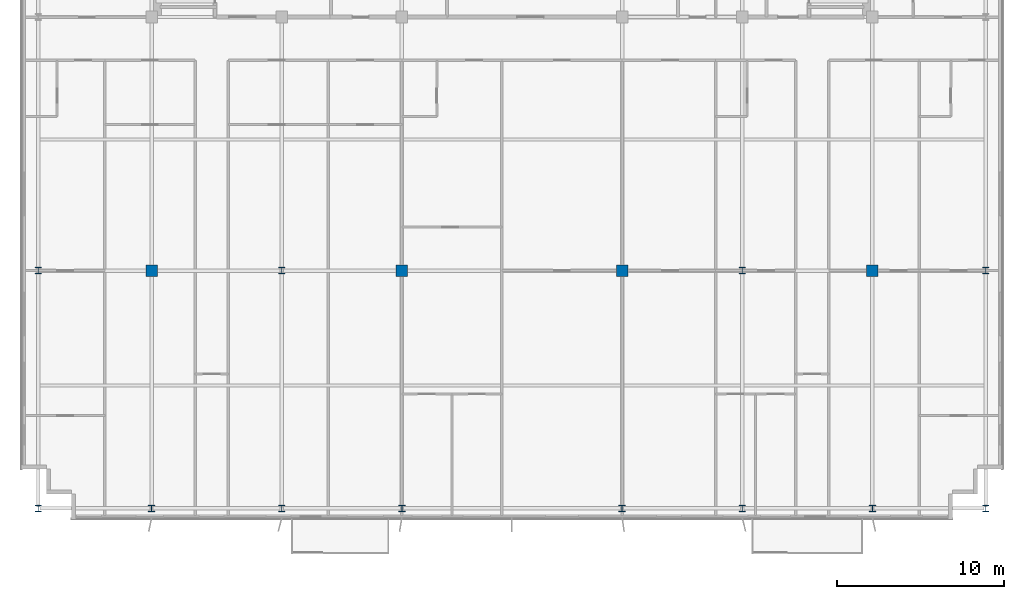
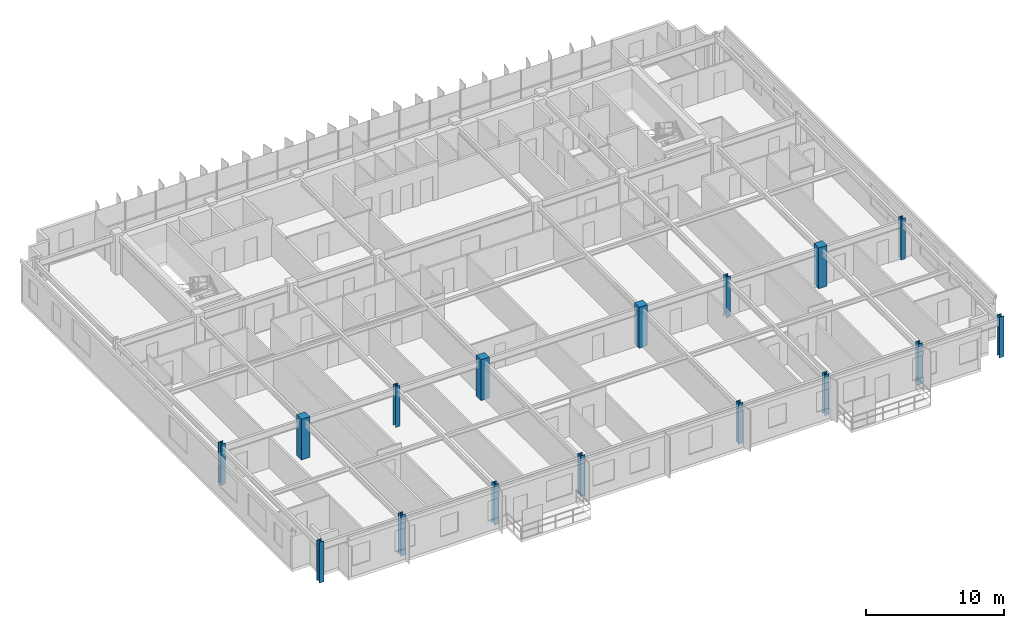
# One storey, part 1 of 21: 16 columns.
"""IFC4 building model written with IfcOpenShell, lengths in metres."""

from ifc_helpers import new_model, si_unit, direction, frame, origin, origin_2d, place, context, subcontext, project, spatial, rectangle, i_section, extrude, source, transform, mapped, material, material_profile, profile_set, type_object, element, save


model = new_model("IFC4")

# Units and contexts
model_context = context("Model", 3, precision=1e-05, world=origin(), true_north=direction((0.0, 1.0)))
body_context = subcontext(model_context, "Body", "Model", "MODEL_VIEW")
ifc_project = project(units=[si_unit("LENGTHUNIT", "METRE"), si_unit("AREAUNIT", "SQUARE_METRE"), si_unit("VOLUMEUNIT", "CUBIC_METRE"), si_unit("PLANEANGLEUNIT", "RADIAN"), si_unit("MASSUNIT", "GRAM", prefix="KILO")], contexts=[model_context])

# Site, building, storey
site_placement = place(None, origin())
site = spatial("IfcSite", under=ifc_project, at=site_placement, CompositionType="ELEMENT")
building_placement = place(site_placement, origin())
building = spatial("IfcBuilding", under=site, at=building_placement, Name="Trelvane Seafront Commons", CompositionType="ELEMENT")
storey_placement = place(building_placement, frame((0.0, 0.0, 160.89990234375)))
storey = spatial("IfcBuildingStorey", under=building, at=storey_placement, Name="L42", CompositionType="ELEMENT", Elevation=160.89990234375)

# Columns
ifc_material_1 = material(Name="Steel SM355 (S355)", Category="steel")
ifc_material_profile_1 = material_profile(ifc_material_1, i_section(OverallWidth=0.3798828125, OverallDepth=0.3798828125, WebThickness=0.02001953125, FlangeThickness=0.030029296875, at=origin_2d()), Name="HD-380x380x20x30")
ifc_profile_set_1 = profile_set([ifc_material_profile_1], Name="Steel SM355 (S355)")
column_type_1 = type_object("IfcColumnType", Name="STR-COL-HD380", PredefinedType="COLUMN", material=ifc_profile_set_1)
shared_shape_1 = source(origin(), body_context, "Body", "SweptSolid", [
    extrude(i_section(OverallWidth=0.3798828125, OverallDepth=0.3798828125, WebThickness=0.02001953125, FlangeThickness=0.030029296875, at=origin_2d()), origin(), (0.0, 0.0, 1.0), 3.60009765625),
])
for number, where, z_axis, x_axis, name in (
    (1, (8.800048828125, 3.949951171875, 0.0), (0.0, 0.0, 1.0), (1.0, 0.0, 0.0), "L42 Column TC-S8.8"),
    (2, (8.800048828125, 18.199951171875, 0.0), (0.0, 0.0, 1.0), (1.0, 0.0, 0.0), "L42 Column TC-M8.8"),
    (3, (15.60009765625, 3.949951171875, 0.0), (0.0, 0.0, 1.0), (1.0, 0.0, 0.0), "L42 Column TC-S15.6"),
    (4, (23.39990234375, 3.949951171875, 0.0), (0.0, 0.0, 1.0), (1.0, 0.0, 0.0), "L42 Column TC-S23.4"),
    (5, (23.39990234375, 18.199951171875, 0.0), (0.0, 0.0, 1.0), (1.0, 0.0, 0.0), "L42 Column TC-M23.4"),
    (6, (30.60009765625, 3.949951171875, 0.0), (0.0, 0.0, 1.0), (1.0, 0.0, 0.0), "L42 Column TC-S30.6"),
    (7, (43.800048828125, 3.949951171875, 0.0), (0.0, 0.0, 1.0), (1.0, 0.0, 0.0), "L42 Column TC-S43.8"),
    (8, (51.0, 3.949951171875, 0.0), (0.0, 0.0, 1.0), (1.0, 0.0, 0.0), "L42 Column TC-S51.0"),
    (9, (51.0, 18.199951171875, 0.0), (0.0, 0.0, 1.0), (1.0, 0.0, 0.0), "L42 Column TC-M51.0"),
    (10, (58.800048828125, 3.949951171875, 0.0), (0.0, 0.0, 1.0), (1.0, 0.0, 0.0), "L42 Column TC-S58.8"),
    (11, (65.60009765625, 3.949951171875, 0.0), (0.0, 0.0, 1.0), (1.0, 0.0, 0.0), "L42 Column TC-S65.6"),
    (12, (65.60009765625, 18.199951171875, 0.0), (0.0, 0.0, 1.0), (1.0, 0.0, 0.0), "L42 Column TC-M65.6"),
):
    element("IfcColumn", number, at=place(storey_placement, frame(where, z_axis=z_axis, x_axis=x_axis)), inside=storey, type_object=column_type_1, Name=name, PredefinedType="COLUMN", context=body_context, shape_type="MappedRepresentation", body=[
        mapped(shared_shape_1, transform((0.0, 0.0, 0.0), x_axis=(1.0, 0.0, 0.0), y_axis=(0.0, 1.0, 0.0), z_axis=(0.0, 0.0, 1.0), scale=1.0)),
    ])
ifc_material_2 = material(Name="Concrete C50/60", Category="concrete")
ifc_material_profile_2 = material_profile(ifc_material_2, rectangle(XDim=0.699951171875, YDim=0.699951171875, at=origin_2d()), Name="RC-700x700")
ifc_profile_set_2 = profile_set([ifc_material_profile_2], Name="Concrete C50/60")
column_type_2 = type_object("IfcColumnType", Name="STR-COL-RC700", PredefinedType="COLUMN", material=ifc_profile_set_2)
shared_shape_2 = source(origin(), body_context, "Body", "SweptSolid", [
    extrude(rectangle(XDim=0.699951171875, YDim=0.699951171875, at=origin_2d()), origin(), (0.0, 0.0, 1.0), 3.60009765625),
])
for number, where, z_axis, x_axis, name in (
    (13, (15.60009765625, 18.199951171875, 0.0), (0.0, 0.0, 1.0), (1.0, 0.0, 0.0), "L42 Column TC-M15.6"),
    (14, (30.60009765625, 18.199951171875, 0.0), (0.0, 0.0, 1.0), (1.0, 0.0, 0.0), "L42 Column TC-M30.6"),
    (15, (43.800048828125, 18.199951171875, 0.0), (0.0, 0.0, 1.0), (1.0, 0.0, 0.0), "L42 Column TC-M43.8"),
    (16, (58.800048828125, 18.199951171875, 0.0), (0.0, 0.0, 1.0), (1.0, 0.0, 0.0), "L42 Column TC-M58.8"),
):
    element("IfcColumn", number, at=place(storey_placement, frame(where, z_axis=z_axis, x_axis=x_axis)), inside=storey, type_object=column_type_2, Name=name, PredefinedType="COLUMN", context=body_context, shape_type="MappedRepresentation", body=[
        mapped(shared_shape_2, transform((0.0, 0.0, 0.0), x_axis=(1.0, 0.0, 0.0), y_axis=(0.0, 1.0, 0.0), z_axis=(0.0, 0.0, 1.0), scale=1.0)),
    ])

save(model, "model.ifc")
